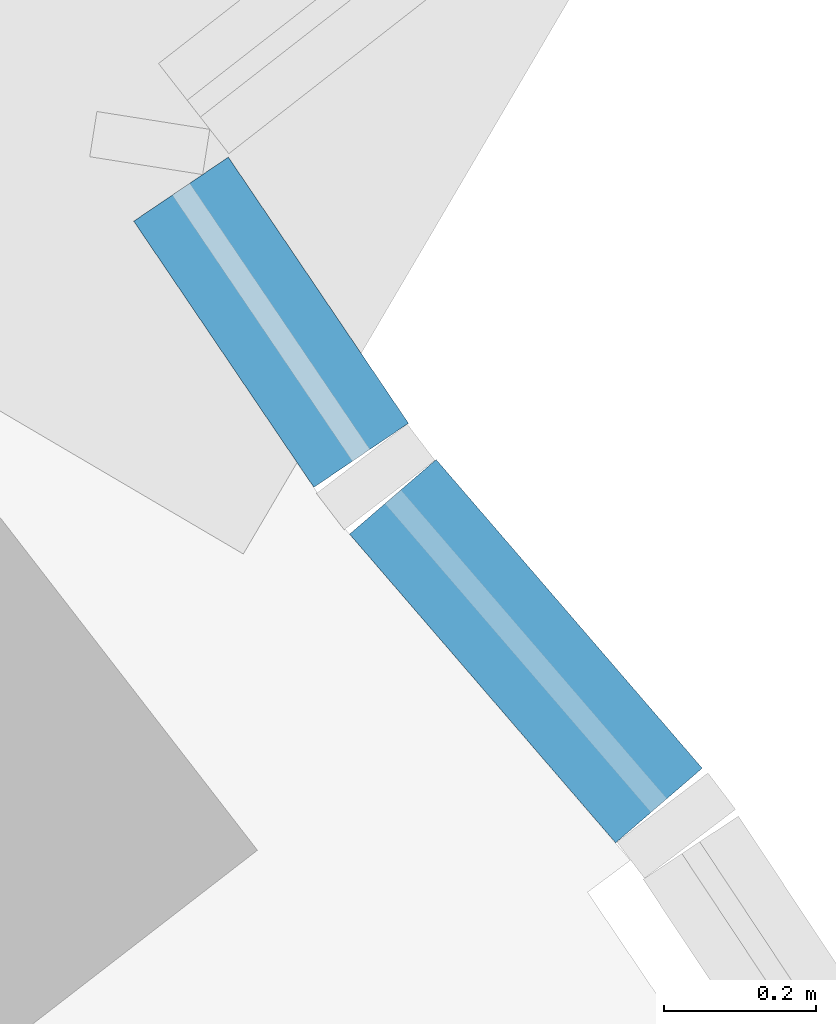
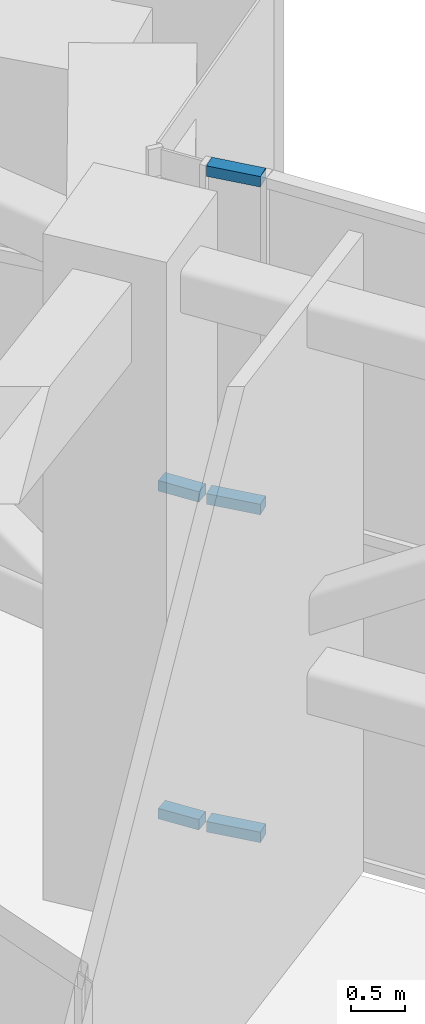
# One storey, part 16 of 33: 5 members, 2 elements without a shape of their own.
"""IFC4 building model written with IfcOpenShell, lengths in metres."""

from ifc_helpers import new_model, si_unit, direction, frame, origin, origin_2d, place, context, subcontext, project, spatial, rectangle, extrude, material, layer, layer_set, material_profile, profile_set, type_object, element, aggregate, save


model = new_model("IFC4")

# Units and contexts
model_context = context("Model", 3, precision=1e-05, world=origin(), true_north=direction((0.0, 1.0)))
body_context = subcontext(model_context, "Body", "Model", "MODEL_VIEW")
ifc_project = project(units=[si_unit("LENGTHUNIT", "METRE"), si_unit("AREAUNIT", "SQUARE_METRE"), si_unit("VOLUMEUNIT", "CUBIC_METRE"), si_unit("PLANEANGLEUNIT", "RADIAN"), si_unit("MASSUNIT", "GRAM", prefix="KILO")], contexts=[model_context])

# Site, building, storey
site_placement = place(None, origin())
site = spatial("IfcSite", under=ifc_project, at=site_placement, CompositionType="ELEMENT")
building_placement = place(site_placement, origin())
building = spatial("IfcBuilding", under=site, at=building_placement, Name="Stone Belt Terrace Tower", CompositionType="ELEMENT")
storey_placement = place(building_placement, frame((0.0, 0.0, 79.39990234375)))
storey = spatial("IfcBuildingStorey", under=building, at=storey_placement, Name="L19", CompositionType="ELEMENT", Elevation=79.39990234375)

# Curtain wall, members
ifc_material = material(Name="Aluminium 6063-T6 anodised frame", Category="aluminium")
ifc_layer = layer(ifc_material, 0.14990234375)
ifc_layer_set = layer_set([ifc_layer], Name="CW-C stick curtain wall, horn ends and notches")
curtain_wall_type = type_object("IfcCurtainWallType", Name="CW-C stick curtain wall, horn ends and notches", PredefinedType="NOTDEFINED", material=ifc_layer_set)
curtain_wall_1_placement = place(storey_placement, origin())
curtain_wall_1 = element("IfcCurtainWall", 1, at=curtain_wall_1_placement, inside=storey, type_object=curtain_wall_type, Name="CW-C end face L19", PredefinedType="NOTDEFINED")
ifc_material_profile = material_profile(ifc_material, rectangle(XDim=0.14990234375, YDim=0.1201171875, at=origin_2d()), Name="Aluminium 6063-T6 150x120")
ifc_profile_set = profile_set([ifc_material_profile], Name="Aluminium 6063-T6 anodised frame")
member_type = type_object("IfcMemberType", Name="CW-C transom 120 x 150", PredefinedType="USERDEFINED", material=ifc_profile_set)
member_1_placement = place(storey_placement, frame((50.83642578125, 38.1728515625, 0.06005859375), z_axis=(-0.652894462256, 0.757448890128, 0.0), x_axis=(-0.757448890128, -0.652894462256, 0.0)))
member_1 = element("IfcMember", 2, at=member_1_placement, type_object=member_type, Name="CW-C transom 1.1", ObjectType="TRANSOM", PredefinedType="USERDEFINED", context=body_context, shape_type="SweptSolid", body=[
    extrude(rectangle(XDim=0.14990234375, YDim=0.1201171875, at=origin_2d()), origin(), (0.0, 0.0, 1.0), 0.53466796875),
])
member_2_placement = place(storey_placement, frame((50.83642578125, 38.1728515625, 3.800048828125), z_axis=(-0.652894462256, 0.757448890128, 0.0), x_axis=(-0.757448890128, -0.652894462256, 0.0)))
member_2 = element("IfcMember", 3, at=member_2_placement, type_object=member_type, Name="CW-C transom 1.2", ObjectType="TRANSOM", PredefinedType="USERDEFINED", context=body_context, shape_type="SweptSolid", body=[
    extrude(rectangle(XDim=0.14990234375, YDim=0.1201171875, at=origin_2d()), origin(), (0.0, 0.0, 1.0), 0.53466796875),
])
member_3_placement = place(storey_placement, frame((50.83642578125, 38.1728515625, 7.5400390625), z_axis=(-0.652894462256, 0.757448890128, 0.0), x_axis=(-0.757448890128, -0.652894462256, 0.0)))
member_3 = element("IfcMember", 4, at=member_3_placement, type_object=member_type, Name="CW-C transom 1.3", ObjectType="TRANSOM", PredefinedType="USERDEFINED", context=body_context, shape_type="SweptSolid", body=[
    extrude(rectangle(XDim=0.14990234375, YDim=0.1201171875, at=origin_2d()), origin(), (0.0, 0.0, 1.0), 0.53466796875),
])
aggregate(curtain_wall_1, [member_1, member_2, member_3])

curtain_wall_2_placement = place(storey_placement, origin())
curtain_wall_2 = element("IfcCurtainWall", 5, at=curtain_wall_2_placement, inside=storey, type_object=curtain_wall_type, Name="CW-C end face L19", PredefinedType="NOTDEFINED")
member_4_placement = place(storey_placement, frame((50.44580078125, 38.63232421875, 0.06005859375), z_axis=(-0.560566411907, 0.828109472136, 0.0), x_axis=(-0.828109472136, -0.560566411907, 0.0)))
member_4 = element("IfcMember", 6, at=member_4_placement, type_object=member_type, Name="CW-C transom 1.1", ObjectType="TRANSOM", PredefinedType="USERDEFINED", context=body_context, shape_type="SweptSolid", body=[
    extrude(rectangle(XDim=0.14990234375, YDim=0.1201171875, at=origin_2d()), origin(), (0.0, 0.0, 1.0), 0.421630859375),
])
member_5_placement = place(storey_placement, frame((50.44580078125, 38.63232421875, 3.800048828125), z_axis=(-0.560566411907, 0.828109472136, 0.0), x_axis=(-0.828109472136, -0.560566411907, 0.0)))
member_5 = element("IfcMember", 7, at=member_5_placement, type_object=member_type, Name="CW-C transom 1.2", ObjectType="TRANSOM", PredefinedType="USERDEFINED", context=body_context, shape_type="SweptSolid", body=[
    extrude(rectangle(XDim=0.14990234375, YDim=0.1201171875, at=origin_2d()), origin(), (0.0, 0.0, 1.0), 0.421630859375),
])
aggregate(curtain_wall_2, [member_4, member_5])

save(model, "model.ifc")
